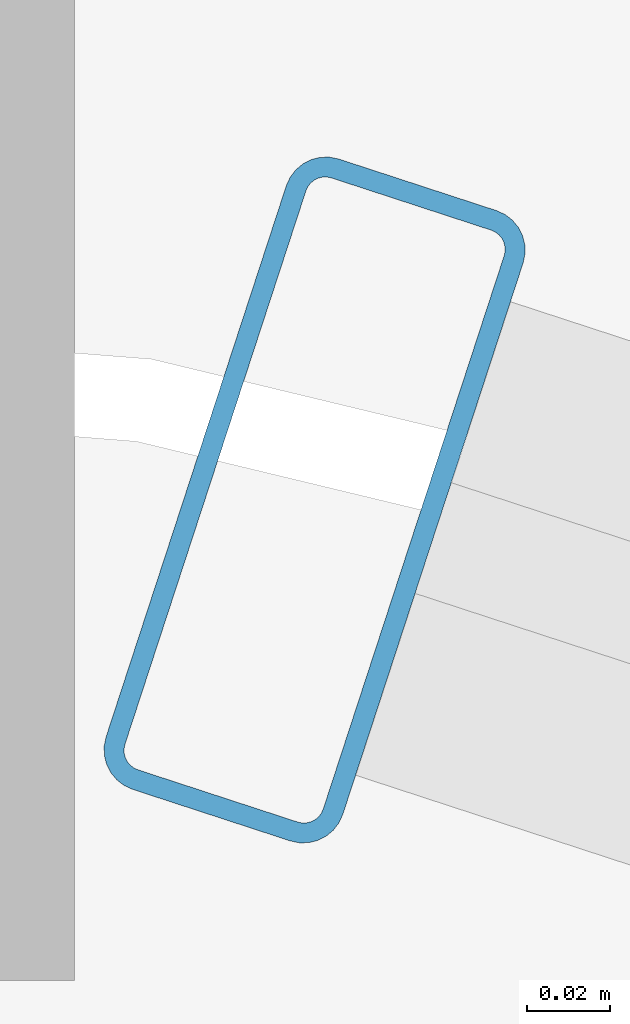
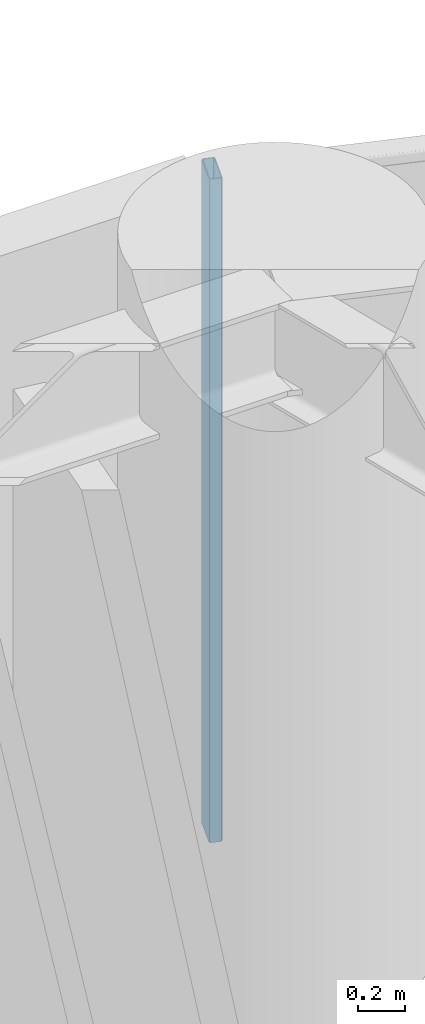
# One storey, part 24 of 34: 1 member, 1 element without a shape of its own.
"""IFC4 building model written with IfcOpenShell, lengths in metres."""

import ifcopenshell
import ifcopenshell.guid

model = None  # the IFC model being written
_history = None  # IfcOwnerHistory: only IFC2X3 demands one
_inside = {}  # id of a spatial element -> (the spatial element, [elements in it])
_under = {}  # id of a project, library or spatial element -> (it, [spatial elements below it])
_declared = {}  # id of a project -> (the project, [libraries it declares])
_typed = {}  # id of a type object -> (the type object, [elements of that type])
_made_of = {}  # id of a material, layer set ... -> (it, [elements and type objects made of it])


def new_model(schema):
    """Start an empty IFC model of exactly this schema.

    Asked for "IFC4X3", IfcOpenShell would pick the latest addendum, in which some entities
    have other attributes; the version numbers below select the first issue.
    IFC2X3 requires an IfcOwnerHistory on every rooted entity: one is made here for all.
    """
    global model, _history
    if schema == "IFC4X3":
        model = ifcopenshell.file(schema_version=(4, 3, 0, 0))
    else:
        model = ifcopenshell.file(schema=schema)
    _inside.clear()
    _under.clear()
    _declared.clear()
    _typed.clear()
    _made_of.clear()
    _history = None
    if model.schema == "IFC2X3":
        org = make("IfcOrganization", Name="unknown")
        user = make(
            "IfcPersonAndOrganization",
            ThePerson=make("IfcPerson", FamilyName="unknown"),
            TheOrganization=org,
        )
        app = make(
            "IfcApplication",
            ApplicationDeveloper=org,
            Version="unknown",
            ApplicationFullName="unknown",
            ApplicationIdentifier="unknown",
        )
        _history = make(
            "IfcOwnerHistory",
            OwningUser=user,
            OwningApplication=app,
            ChangeAction="ADDED",
            CreationDate=0,
        )
    return model


def make(cls, **values):
    """One entity of the class cls with the attributes given. An attribute that is None is left unset."""
    return model.create_entity(
        cls, **{name: value for name, value in values.items() if value is not None}
    )


def rooted(cls, **values):
    """An entity with a GlobalId (a new one), such as an element, a storey or a relation."""
    return make(cls, GlobalId=ifcopenshell.guid.new(), OwnerHistory=_history, **values)


def si_unit(unit_type, name, prefix=None):
    """IfcSIUnit, for example si_unit("LENGTHUNIT", "METRE", prefix="MILLI")."""
    return make("IfcSIUnit", UnitType=unit_type, Prefix=prefix, Name=name)


def assignment(units):
    """IfcUnitAssignment: the units of a project."""
    return None if units is None else make("IfcUnitAssignment", Units=units)


def point(xyz):
    """IfcCartesianPoint."""
    return None if xyz is None else make("IfcCartesianPoint", Coordinates=xyz)


def direction(xyz):
    """IfcDirection."""
    return None if xyz is None else make("IfcDirection", DirectionRatios=xyz)


def frame(location, z_axis=None, x_axis=None):
    """IfcAxis2Placement3D, a coordinate frame: its origin and axes. An axis left out is left unset."""
    return make(
        "IfcAxis2Placement3D",
        Location=point(location),
        Axis=direction(z_axis),
        RefDirection=direction(x_axis),
    )


def frame_2d(location, x_axis=None):
    """IfcAxis2Placement2D, a coordinate frame in the plane: its origin and x axis."""
    return make(
        "IfcAxis2Placement2D", Location=point(location), RefDirection=direction(x_axis)
    )


def origin():
    """The frame at (0, 0, 0) with its axes left unset."""
    return frame((0.0, 0.0, 0.0))


def origin_2d():
    """The frame at (0, 0) in the plane with its x axis left unset."""
    return frame_2d((0.0, 0.0))


def place(relative_to, where):
    """IfcLocalPlacement: puts the frame where relative to a parent placement (None: the world)."""
    return make(
        "IfcLocalPlacement", PlacementRelTo=relative_to, RelativePlacement=where
    )


def context(
    kind, dimensions, precision=None, world=None, true_north=None, identifier=None
):
    """IfcGeometricRepresentationContext, for example the 3D "Model" context."""
    return make(
        "IfcGeometricRepresentationContext",
        ContextIdentifier=identifier,
        ContextType=kind,
        CoordinateSpaceDimension=dimensions,
        Precision=precision,
        WorldCoordinateSystem=world,
        TrueNorth=true_north,
    )


def subcontext(parent, identifier, kind, view, scale=None):
    """IfcGeometricRepresentationSubContext, for example "Body" below "Model"."""
    return make(
        "IfcGeometricRepresentationSubContext",
        ContextIdentifier=identifier,
        ContextType=kind,
        ParentContext=parent,
        TargetScale=scale,
        TargetView=view,
    )


def project(units=None, contexts=None):
    """IfcProject with its units and contexts."""
    return rooted(
        "IfcProject",
        Name="project",
        RepresentationContexts=contexts,
        UnitsInContext=assignment(units),
    )


def spatial(cls, under=None, at=None, **own):
    """A site, building, storey or space (cls), placed at a placement, below another one or the project."""
    s = rooted(cls, ObjectPlacement=at, **own)
    if under is not None:
        _under.setdefault(under.id(), (under, []))[1].append(s)
    return s


def profile(cls, at=None, kind="AREA", **sizes):
    """A parametric profile (cls). Its sizes go by their IFC names, for example OverallWidth=200.0."""
    return make(cls, ProfileType=kind, Position=at, **sizes)


def hollow_rectangle(**sizes):
    """IfcRectangleHollowProfileDef."""
    return profile("IfcRectangleHollowProfileDef", **sizes)


def extrude(swept, where, along, depth):
    """IfcExtrudedAreaSolid: the profile swept, set in the frame where, extruded along a direction by depth."""
    return make(
        "IfcExtrudedAreaSolid",
        SweptArea=swept,
        Position=where,
        ExtrudedDirection=direction(along),
        Depth=depth,
    )


def shape(context_of_items, identifier, shape_type, items):
    """IfcShapeRepresentation: the items that make up one representation, for example the "Body"."""
    return make(
        "IfcShapeRepresentation",
        ContextOfItems=context_of_items,
        RepresentationIdentifier=identifier,
        RepresentationType=shape_type,
        Items=items,
    )


def material(Name=None, Category=None):
    """IfcMaterial."""
    return make("IfcMaterial", Name=Name, Category=Category)


def layer(
    of_material, thickness, ventilated=None, Name=None, Category=None, Priority=None
):
    """IfcMaterialLayer: one layer of a wall or slab, of a material (None: an air gap)."""
    return make(
        "IfcMaterialLayer",
        Material=of_material,
        LayerThickness=thickness,
        IsVentilated=ventilated,
        Name=Name,
        Category=Category,
        Priority=Priority,
    )


def layer_set(layers, Name=None):
    """IfcMaterialLayerSet."""
    return make("IfcMaterialLayerSet", MaterialLayers=layers, LayerSetName=Name)


def material_profile(
    of_material, cross_section, Name=None, Category=None, Priority=None
):
    """IfcMaterialProfile: a cross section and its material."""
    return make(
        "IfcMaterialProfile",
        Name=Name,
        Material=of_material,
        Profile=cross_section,
        Priority=Priority,
        Category=Category,
    )


def profile_set(profiles, Name=None, composite=None):
    """IfcMaterialProfileSet."""
    return make(
        "IfcMaterialProfileSet",
        Name=Name,
        MaterialProfiles=profiles,
        CompositeProfile=composite,
    )


def made_of(thing, what):
    """Note that an element or type object is made of a material, layer set ...; save() writes the relation."""
    if what is not None:
        _made_of.setdefault(what.id(), (what, []))[1].append(thing)
    return thing


def type_object(cls, material=None, **own):
    """A type object (cls), such as IfcWallType, which elements share."""
    return made_of(rooted(cls, **own), material)


def element(
    cls,
    number,
    at=None,
    inside=None,
    cuts=None,
    type_object=None,
    material=None,
    context=None,
    identifier="Body",
    shape_type=None,
    held_by="IfcProductDefinitionShape",
    body=None,
    shapes=None,
    **own,
):
    """One element of the class cls, such as IfcWall. Its Tag is "e" and its number.

    at: its placement. inside: the storey or other place that contains it. cuts: it is an
    opening in that element (IfcRelVoidsElement). A single representation is given by context,
    identifier, shape_type and body (its items); several are given by shapes. held_by: the class
    of the entity that holds the representations. save() writes the other relations.
    """
    e = rooted(cls, Tag="e%d" % number, ObjectPlacement=at, **own)
    if body is not None:
        shapes = [shape(context, identifier, shape_type, body)]
    if shapes is not None:
        e.Representation = make(held_by, Representations=shapes)
    if inside is not None:
        _inside.setdefault(inside.id(), (inside, []))[1].append(e)
    if cuts is not None:
        rooted(
            "IfcRelVoidsElement", RelatingBuildingElement=cuts, RelatedOpeningElement=e
        )
    if type_object is not None:
        _typed.setdefault(type_object.id(), (type_object, []))[1].append(e)
    return made_of(e, material)


def aggregate(whole, parts):
    """IfcRelAggregates: a whole, such as a stair, and the parts it consists of."""
    return rooted("IfcRelAggregates", RelatingObject=whole, RelatedObjects=parts)


def save(model, path):
    """Write the relations noted so far, then the file.

    IfcRelAggregates (storeys below a building ...), IfcRelContainedInSpatialStructure (elements
    in a storey), IfcRelDefinesByType, IfcRelAssociatesMaterial and IfcRelDeclares: one each for
    every whole, place, type object, material and project.
    """
    for whole, parts in _under.values():
        aggregate(whole, parts)
    for where, things in _inside.values():
        rooted(
            "IfcRelContainedInSpatialStructure",
            RelatedElements=things,
            RelatingStructure=where,
        )
    for kind, things in _typed.values():
        rooted("IfcRelDefinesByType", RelatedObjects=things, RelatingType=kind)
    for what, things in _made_of.values():
        rooted("IfcRelAssociatesMaterial", RelatedObjects=things, RelatingMaterial=what)
    for by, libraries in _declared.values():
        rooted("IfcRelDeclares", RelatingContext=by, RelatedDefinitions=libraries)
    model.write(path)


model = new_model("IFC4")

# Units and contexts
model_context = context("Model", 3, precision=1e-05, world=origin(), true_north=direction((0.0, 1.0)))
body_context = subcontext(model_context, "Body", "Model", "MODEL_VIEW")
ifc_project = project(units=[si_unit("LENGTHUNIT", "METRE"), si_unit("AREAUNIT", "SQUARE_METRE"), si_unit("VOLUMEUNIT", "CUBIC_METRE"), si_unit("PLANEANGLEUNIT", "RADIAN"), si_unit("MASSUNIT", "GRAM", prefix="KILO")], contexts=[model_context])

# Site, building, storey
site_placement = place(None, origin())
site = spatial("IfcSite", under=ifc_project, at=site_placement, CompositionType="ELEMENT")
building_placement = place(site_placement, origin())
building = spatial("IfcBuilding", under=site, at=building_placement, Name="Kelanora Arch Commons", CompositionType="ELEMENT")
storey_placement = place(building_placement, frame((0.0, 0.0, 76.35009765625)))
storey = spatial("IfcBuildingStorey", under=building, at=storey_placement, Name="L19", CompositionType="ELEMENT", Elevation=76.35009765625)

# Curtain wall, member
ifc_material_1 = material(Name="Terracotta ceramic-fritted low-E glass and aluminium", Category="masonry")
ifc_layer = layer(ifc_material_1, 0.159912109375)
ifc_layer_set = layer_set([ifc_layer], Name="Terracotta ceramic-fritted low-E glass and aluminium")
curtain_wall_type = type_object("IfcCurtainWallType", Name="CW-SYS-01", PredefinedType="NOTDEFINED", material=ifc_layer_set)
curtain_wall_placement = place(storey_placement, origin())
curtain_wall = element("IfcCurtainWall", 1, at=curtain_wall_placement, inside=storey, type_object=curtain_wall_type, Name="Unitised Curtain Wall L19-B03", PredefinedType="NOTDEFINED")
ifc_material_2 = material(Name="Powder-coated aluminium terracotta", Category="masonry")
ifc_material_profile = material_profile(ifc_material_2, hollow_rectangle(XDim=0.159912109375, YDim=0.06005859375, WallThickness=0.0048828125, InnerFilletRadius=0.0048828125, OuterFilletRadius=0.010009765625, at=origin_2d()), Name="CWM160x60")
ifc_profile_set = profile_set([ifc_material_profile], Name="Powder-coated aluminium terracotta")
member_type = type_object("IfcMemberType", Name="CWM-STD", PredefinedType="MULLION", material=ifc_profile_set)
member_placement = place(storey_placement, frame((78.48828125, 80.636474609375, 0.0), z_axis=(0.0, 0.0, 1.0), x_axis=(-0.31080470294, -0.950473795867, 0.0)))
member = element("IfcMember", 2, at=member_placement, type_object=member_type, Name="CW-01 mullion 3", PredefinedType="MULLION", context=body_context, shape_type="SweptSolid", body=[
    extrude(hollow_rectangle(XDim=0.159912109375, YDim=0.06005859375, WallThickness=0.0048828125, InnerFilletRadius=0.0048828125, OuterFilletRadius=0.010009765625, at=origin_2d()), origin(), (0.0, 0.0, 1.0), 3.474853515625),
])
aggregate(curtain_wall, [member])

save(model, "model.ifc")
